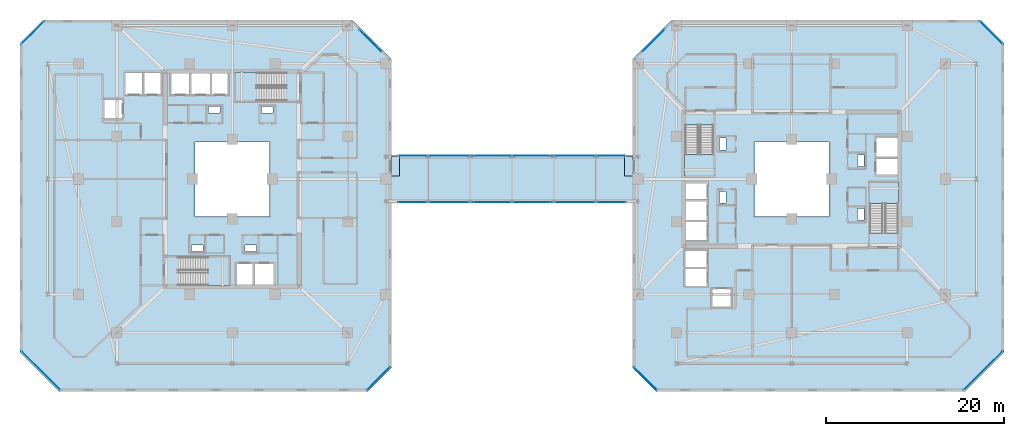
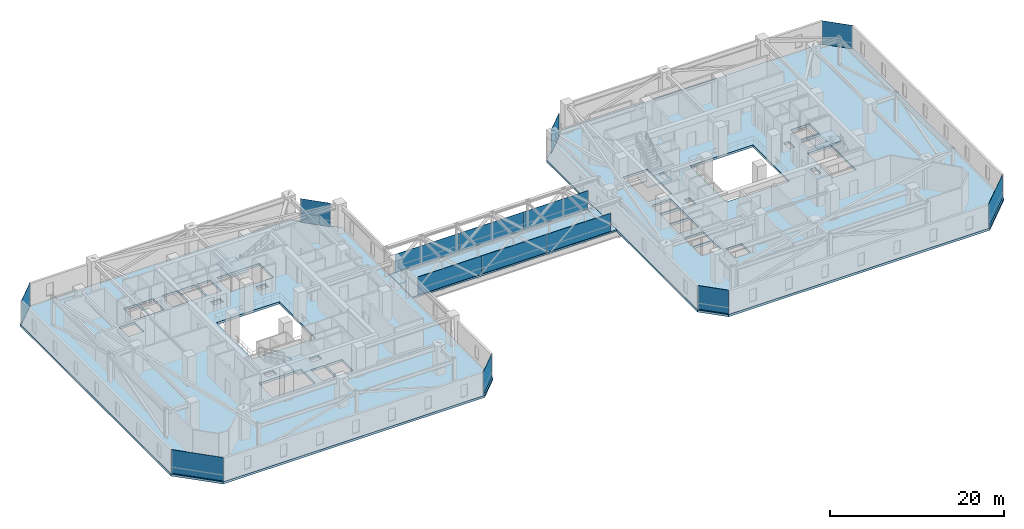
# One storey, part 28 of 45: 16 plates, 7 slabs, 14 elements without a shape of their own.
"""IFC4 building model written with IfcOpenShell, lengths in metres."""

import ifcopenshell
import ifcopenshell.guid

model = None  # the IFC model being written
_history = None  # IfcOwnerHistory: only IFC2X3 demands one
_inside = {}  # id of a spatial element -> (the spatial element, [elements in it])
_under = {}  # id of a project, library or spatial element -> (it, [spatial elements below it])
_declared = {}  # id of a project -> (the project, [libraries it declares])
_typed = {}  # id of a type object -> (the type object, [elements of that type])
_made_of = {}  # id of a material, layer set ... -> (it, [elements and type objects made of it])


def new_model(schema):
    """Start an empty IFC model of exactly this schema.

    Asked for "IFC4X3", IfcOpenShell would pick the latest addendum, in which some entities
    have other attributes; the version numbers below select the first issue.
    IFC2X3 requires an IfcOwnerHistory on every rooted entity: one is made here for all.
    """
    global model, _history
    if schema == "IFC4X3":
        model = ifcopenshell.file(schema_version=(4, 3, 0, 0))
    else:
        model = ifcopenshell.file(schema=schema)
    _inside.clear()
    _under.clear()
    _declared.clear()
    _typed.clear()
    _made_of.clear()
    _history = None
    if model.schema == "IFC2X3":
        org = make("IfcOrganization", Name="unknown")
        user = make(
            "IfcPersonAndOrganization",
            ThePerson=make("IfcPerson", FamilyName="unknown"),
            TheOrganization=org,
        )
        app = make(
            "IfcApplication",
            ApplicationDeveloper=org,
            Version="unknown",
            ApplicationFullName="unknown",
            ApplicationIdentifier="unknown",
        )
        _history = make(
            "IfcOwnerHistory",
            OwningUser=user,
            OwningApplication=app,
            ChangeAction="ADDED",
            CreationDate=0,
        )
    return model


def make(cls, **values):
    """One entity of the class cls with the attributes given. An attribute that is None is left unset."""
    return model.create_entity(
        cls, **{name: value for name, value in values.items() if value is not None}
    )


def rooted(cls, **values):
    """An entity with a GlobalId (a new one), such as an element, a storey or a relation."""
    return make(cls, GlobalId=ifcopenshell.guid.new(), OwnerHistory=_history, **values)


def si_unit(unit_type, name, prefix=None):
    """IfcSIUnit, for example si_unit("LENGTHUNIT", "METRE", prefix="MILLI")."""
    return make("IfcSIUnit", UnitType=unit_type, Prefix=prefix, Name=name)


def assignment(units):
    """IfcUnitAssignment: the units of a project."""
    return None if units is None else make("IfcUnitAssignment", Units=units)


def point(xyz):
    """IfcCartesianPoint."""
    return None if xyz is None else make("IfcCartesianPoint", Coordinates=xyz)


def direction(xyz):
    """IfcDirection."""
    return None if xyz is None else make("IfcDirection", DirectionRatios=xyz)


def frame(location, z_axis=None, x_axis=None):
    """IfcAxis2Placement3D, a coordinate frame: its origin and axes. An axis left out is left unset."""
    return make(
        "IfcAxis2Placement3D",
        Location=point(location),
        Axis=direction(z_axis),
        RefDirection=direction(x_axis),
    )


def frame_2d(location, x_axis=None):
    """IfcAxis2Placement2D, a coordinate frame in the plane: its origin and x axis."""
    return make(
        "IfcAxis2Placement2D", Location=point(location), RefDirection=direction(x_axis)
    )


def origin():
    """The frame at (0, 0, 0) with its axes left unset."""
    return frame((0.0, 0.0, 0.0))


def origin_2d():
    """The frame at (0, 0) in the plane with its x axis left unset."""
    return frame_2d((0.0, 0.0))


def place(relative_to, where):
    """IfcLocalPlacement: puts the frame where relative to a parent placement (None: the world)."""
    return make(
        "IfcLocalPlacement", PlacementRelTo=relative_to, RelativePlacement=where
    )


def context(
    kind, dimensions, precision=None, world=None, true_north=None, identifier=None
):
    """IfcGeometricRepresentationContext, for example the 3D "Model" context."""
    return make(
        "IfcGeometricRepresentationContext",
        ContextIdentifier=identifier,
        ContextType=kind,
        CoordinateSpaceDimension=dimensions,
        Precision=precision,
        WorldCoordinateSystem=world,
        TrueNorth=true_north,
    )


def subcontext(parent, identifier, kind, view, scale=None):
    """IfcGeometricRepresentationSubContext, for example "Body" below "Model"."""
    return make(
        "IfcGeometricRepresentationSubContext",
        ContextIdentifier=identifier,
        ContextType=kind,
        ParentContext=parent,
        TargetScale=scale,
        TargetView=view,
    )


def project(units=None, contexts=None):
    """IfcProject with its units and contexts."""
    return rooted(
        "IfcProject",
        Name="project",
        RepresentationContexts=contexts,
        UnitsInContext=assignment(units),
    )


def spatial(cls, under=None, at=None, **own):
    """A site, building, storey or space (cls), placed at a placement, below another one or the project."""
    s = rooted(cls, ObjectPlacement=at, **own)
    if under is not None:
        _under.setdefault(under.id(), (under, []))[1].append(s)
    return s


def polyline(points):
    """IfcPolyline through the points."""
    return make("IfcPolyline", Points=[point(p) for p in points])


def profile(cls, at=None, kind="AREA", **sizes):
    """A parametric profile (cls). Its sizes go by their IFC names, for example OverallWidth=200.0."""
    return make(cls, ProfileType=kind, Position=at, **sizes)


def rectangle(**sizes):
    """IfcRectangleProfileDef."""
    return profile("IfcRectangleProfileDef", **sizes)


def outline(outer, holes=None, kind="AREA"):
    """IfcArbitraryClosedProfileDef: a profile drawn as a closed curve; with holes, ...WithVoids."""
    if holes is None:
        return make("IfcArbitraryClosedProfileDef", ProfileType=kind, OuterCurve=outer)
    return make(
        "IfcArbitraryProfileDefWithVoids",
        ProfileType=kind,
        OuterCurve=outer,
        InnerCurves=holes,
    )


def extrude(swept, where, along, depth):
    """IfcExtrudedAreaSolid: the profile swept, set in the frame where, extruded along a direction by depth."""
    return make(
        "IfcExtrudedAreaSolid",
        SweptArea=swept,
        Position=where,
        ExtrudedDirection=direction(along),
        Depth=depth,
    )


def shape(context_of_items, identifier, shape_type, items):
    """IfcShapeRepresentation: the items that make up one representation, for example the "Body"."""
    return make(
        "IfcShapeRepresentation",
        ContextOfItems=context_of_items,
        RepresentationIdentifier=identifier,
        RepresentationType=shape_type,
        Items=items,
    )


def material(Name=None, Category=None):
    """IfcMaterial."""
    return make("IfcMaterial", Name=Name, Category=Category)


def layer(
    of_material, thickness, ventilated=None, Name=None, Category=None, Priority=None
):
    """IfcMaterialLayer: one layer of a wall or slab, of a material (None: an air gap)."""
    return make(
        "IfcMaterialLayer",
        Material=of_material,
        LayerThickness=thickness,
        IsVentilated=ventilated,
        Name=Name,
        Category=Category,
        Priority=Priority,
    )


def layer_set(layers, Name=None):
    """IfcMaterialLayerSet."""
    return make("IfcMaterialLayerSet", MaterialLayers=layers, LayerSetName=Name)


def made_of(thing, what):
    """Note that an element or type object is made of a material, layer set ...; save() writes the relation."""
    if what is not None:
        _made_of.setdefault(what.id(), (what, []))[1].append(thing)
    return thing


def type_object(cls, material=None, **own):
    """A type object (cls), such as IfcWallType, which elements share."""
    return made_of(rooted(cls, **own), material)


def element(
    cls,
    number,
    at=None,
    inside=None,
    cuts=None,
    type_object=None,
    material=None,
    context=None,
    identifier="Body",
    shape_type=None,
    held_by="IfcProductDefinitionShape",
    body=None,
    shapes=None,
    **own,
):
    """One element of the class cls, such as IfcWall. Its Tag is "e" and its number.

    at: its placement. inside: the storey or other place that contains it. cuts: it is an
    opening in that element (IfcRelVoidsElement). A single representation is given by context,
    identifier, shape_type and body (its items); several are given by shapes. held_by: the class
    of the entity that holds the representations. save() writes the other relations.
    """
    e = rooted(cls, Tag="e%d" % number, ObjectPlacement=at, **own)
    if body is not None:
        shapes = [shape(context, identifier, shape_type, body)]
    if shapes is not None:
        e.Representation = make(held_by, Representations=shapes)
    if inside is not None:
        _inside.setdefault(inside.id(), (inside, []))[1].append(e)
    if cuts is not None:
        rooted(
            "IfcRelVoidsElement", RelatingBuildingElement=cuts, RelatedOpeningElement=e
        )
    if type_object is not None:
        _typed.setdefault(type_object.id(), (type_object, []))[1].append(e)
    return made_of(e, material)


def aggregate(whole, parts):
    """IfcRelAggregates: a whole, such as a stair, and the parts it consists of."""
    return rooted("IfcRelAggregates", RelatingObject=whole, RelatedObjects=parts)


def save(model, path):
    """Write the relations noted so far, then the file.

    IfcRelAggregates (storeys below a building ...), IfcRelContainedInSpatialStructure (elements
    in a storey), IfcRelDefinesByType, IfcRelAssociatesMaterial and IfcRelDeclares: one each for
    every whole, place, type object, material and project.
    """
    for whole, parts in _under.values():
        aggregate(whole, parts)
    for where, things in _inside.values():
        rooted(
            "IfcRelContainedInSpatialStructure",
            RelatedElements=things,
            RelatingStructure=where,
        )
    for kind, things in _typed.values():
        rooted("IfcRelDefinesByType", RelatedObjects=things, RelatingType=kind)
    for what, things in _made_of.values():
        rooted("IfcRelAssociatesMaterial", RelatedObjects=things, RelatingMaterial=what)
    for by, libraries in _declared.values():
        rooted("IfcRelDeclares", RelatingContext=by, RelatedDefinitions=libraries)
    model.write(path)


model = new_model("IFC4")

# Units and contexts
model_context = context("Model", 3, precision=1e-05, world=origin(), true_north=direction((0.0, 1.0)))
body_context = subcontext(model_context, "Body", "Model", "MODEL_VIEW")
ifc_project = project(units=[si_unit("LENGTHUNIT", "METRE"), si_unit("AREAUNIT", "SQUARE_METRE"), si_unit("VOLUMEUNIT", "CUBIC_METRE"), si_unit("PLANEANGLEUNIT", "RADIAN"), si_unit("MASSUNIT", "GRAM", prefix="KILO")], contexts=[model_context])

# Site, building, storey
site_placement = place(None, origin())
site = spatial("IfcSite", under=ifc_project, at=site_placement, CompositionType="ELEMENT")
building_placement = place(site_placement, origin())
building = spatial("IfcBuilding", under=site, at=building_placement, Name="Thornwick Lancets Civic Towers", CompositionType="ELEMENT")
storey_placement = place(building_placement, frame((0.0, 0.0, 141.300048828125)))
storey = spatial("IfcBuildingStorey", under=building, at=storey_placement, Name="L37", CompositionType="ELEMENT", Elevation=141.300048828125)

# Curtain wall, plate
ifc_material_1 = material(Name="Mid-zone chamfered-corner unitised glass curtain wall", Category="glass")
curtain_wall_type_1 = type_object("IfcCurtainWallType", Name="CW_SYS_04", PredefinedType="NOTDEFINED", material=ifc_material_1)
curtain_wall_1_placement = place(storey_placement, origin())
curtain_wall_1 = element("IfcCurtainWall", 1, at=curtain_wall_1_placement, inside=storey, type_object=curtain_wall_type_1, Name="L37 Curtain Wall CW-L37-A-E1", PredefinedType="NOTDEFINED")
ifc_material_2 = material(Name="Low-e double glazing clear glass", Category="glass")
ifc_layer_1 = layer(ifc_material_2, 0.035888671875, Name="Low-e double glazing clear glass")
ifc_layer_set_1 = layer_set([ifc_layer_1], Name="Low-e double glazing clear glass")
plate_type_1 = type_object("IfcPlateType", Name="CW_PNL_GLASS", PredefinedType="CURTAIN_PANEL", material=ifc_layer_set_1)
plate_1_placement = place(storey_placement, frame((41.972900390625, 4.527099609375, 0.0), z_axis=(0.0, 0.0, 1.0), x_axis=(0.707106781187, 0.707106781187, 0.0)))
plate_1 = element("IfcPlate", 2, at=plate_1_placement, type_object=plate_type_1, Name="CW-L37-A-E1 Panel 0", PredefinedType="CURTAIN_PANEL", context=body_context, shape_type="SweptSolid", body=[
    extrude(rectangle(XDim=3.649169921875, YDim=0.035888671875, at=origin_2d()), origin(), (0.0, 0.0, 1.0), 3.300048828125),
])
aggregate(curtain_wall_1, [plate_1])

curtain_wall_2_placement = place(storey_placement, origin())
curtain_wall_2 = element("IfcCurtainWall", 3, at=curtain_wall_2_placement, inside=storey, type_object=curtain_wall_type_1, Name="L37 Curtain Wall CW-L37-A-E3", PredefinedType="NOTDEFINED")
plate_2_placement = place(storey_placement, frame((41.073486328125, 42.573486328125, 0.0), z_axis=(0.0, 0.0, 1.0), x_axis=(-0.707106781187, 0.707106781187, 0.0)))
plate_2 = element("IfcPlate", 4, at=plate_2_placement, type_object=plate_type_1, Name="CW-L37-A-E3 Panel 0", PredefinedType="CURTAIN_PANEL", context=body_context, shape_type="SweptSolid", body=[
    extrude(rectangle(XDim=3.5771484375, YDim=0.035888671875, at=origin_2d()), origin(), (0.0, 0.0, 1.0), 3.300048828125),
])
aggregate(curtain_wall_2, [plate_2])

curtain_wall_3_placement = place(storey_placement, origin())
curtain_wall_3 = element("IfcCurtainWall", 5, at=curtain_wall_3_placement, inside=storey, type_object=curtain_wall_type_1, Name="L37 Curtain Wall CW-L37-A-E5", PredefinedType="NOTDEFINED")
plate_3_placement = place(storey_placement, frame((3.027099609375, 43.472900390625, 0.0), z_axis=(0.0, 0.0, 1.0), x_axis=(-0.707106781187, -0.707106781187, 0.0)))
plate_3 = element("IfcPlate", 6, at=plate_3_placement, type_object=plate_type_1, Name="CW-L37-A-E5 Panel 0", PredefinedType="CURTAIN_PANEL", context=body_context, shape_type="SweptSolid", body=[
    extrude(rectangle(XDim=3.649169921875, YDim=0.035888671875, at=origin_2d()), origin(), (0.0, 0.0, 1.0), 3.300048828125),
])
aggregate(curtain_wall_3, [plate_3])

curtain_wall_4_placement = place(storey_placement, origin())
curtain_wall_4 = element("IfcCurtainWall", 7, at=curtain_wall_4_placement, inside=storey, type_object=curtain_wall_type_1, Name="L37 Curtain Wall CW-L37-A-E7", PredefinedType="NOTDEFINED")
plate_4_placement = place(storey_placement, frame((3.926513671875, 5.426513671875, 0.0), z_axis=(0.0, 0.0, 1.0), x_axis=(0.707106781187, -0.707106781187, 0.0)))
plate_4 = element("IfcPlate", 8, at=plate_4_placement, type_object=plate_type_1, Name="CW-L37-A-E7 Panel 0", PredefinedType="CURTAIN_PANEL", context=body_context, shape_type="SweptSolid", body=[
    extrude(rectangle(XDim=6.176513671875, YDim=0.035888671875, at=origin_2d()), origin(), (0.0, 0.0, 1.0), 3.300048828125),
])
aggregate(curtain_wall_4, [plate_4])

curtain_wall_5_placement = place(storey_placement, origin())
curtain_wall_5 = element("IfcCurtainWall", 9, at=curtain_wall_5_placement, inside=storey, type_object=curtain_wall_type_1, Name="L37 Curtain Wall CW-L37-B-E1", PredefinedType="NOTDEFINED")
plate_5_placement = place(storey_placement, frame((110.073486328125, 5.426513671875, 0.0), z_axis=(0.0, 0.0, 1.0), x_axis=(0.707106781187, 0.707106781187, 0.0)))
plate_5 = element("IfcPlate", 10, at=plate_5_placement, type_object=plate_type_1, Name="CW-L37-B-E1 Panel 0", PredefinedType="CURTAIN_PANEL", context=body_context, shape_type="SweptSolid", body=[
    extrude(rectangle(XDim=6.176513671875, YDim=0.035888671875, at=origin_2d()), origin(), (0.0, 0.0, 1.0), 3.300048828125),
])
aggregate(curtain_wall_5, [plate_5])

curtain_wall_6_placement = place(storey_placement, origin())
curtain_wall_6 = element("IfcCurtainWall", 11, at=curtain_wall_6_placement, inside=storey, type_object=curtain_wall_type_1, Name="L37 Curtain Wall CW-L37-B-E3", PredefinedType="NOTDEFINED")
plate_6_placement = place(storey_placement, frame((110.972900390625, 43.472900390625, 0.0), z_axis=(0.0, 0.0, 1.0), x_axis=(-0.707106781187, 0.707106781187, 0.0)))
plate_6 = element("IfcPlate", 12, at=plate_6_placement, type_object=plate_type_1, Name="CW-L37-B-E3 Panel 0", PredefinedType="CURTAIN_PANEL", context=body_context, shape_type="SweptSolid", body=[
    extrude(rectangle(XDim=3.649169921875, YDim=0.035888671875, at=origin_2d()), origin(), (0.0, 0.0, 1.0), 3.300048828125),
])
aggregate(curtain_wall_6, [plate_6])

curtain_wall_7_placement = place(storey_placement, origin())
curtain_wall_7 = element("IfcCurtainWall", 13, at=curtain_wall_7_placement, inside=storey, type_object=curtain_wall_type_1, Name="L37 Curtain Wall CW-L37-B-E5", PredefinedType="NOTDEFINED")
plate_7_placement = place(storey_placement, frame((72.926513671875, 42.573486328125, 0.0), z_axis=(0.0, 0.0, 1.0), x_axis=(-0.707106781187, -0.707106781187, 0.0)))
plate_7 = element("IfcPlate", 14, at=plate_7_placement, type_object=plate_type_1, Name="CW-L37-B-E5 Panel 0", PredefinedType="CURTAIN_PANEL", context=body_context, shape_type="SweptSolid", body=[
    extrude(rectangle(XDim=3.5771484375, YDim=0.035888671875, at=origin_2d()), origin(), (0.0, 0.0, 1.0), 3.300048828125),
])
aggregate(curtain_wall_7, [plate_7])

curtain_wall_8_placement = place(storey_placement, origin())
curtain_wall_8 = element("IfcCurtainWall", 15, at=curtain_wall_8_placement, inside=storey, type_object=curtain_wall_type_1, Name="L37 Curtain Wall CW-L37-B-E7", PredefinedType="NOTDEFINED")
plate_8_placement = place(storey_placement, frame((72.027099609375, 4.527099609375, 0.0), z_axis=(0.0, 0.0, 1.0), x_axis=(0.707106781187, -0.707106781187, 0.0)))
plate_8 = element("IfcPlate", 16, at=plate_8_placement, type_object=plate_type_1, Name="CW-L37-B-E7 Panel 0", PredefinedType="CURTAIN_PANEL", context=body_context, shape_type="SweptSolid", body=[
    extrude(rectangle(XDim=3.649169921875, YDim=0.035888671875, at=origin_2d()), origin(), (0.0, 0.0, 1.0), 3.300048828125),
])
aggregate(curtain_wall_8, [plate_8])

# Curtain wall, plates
ifc_material_3 = material(Name="Skybridge acoustic laminated-glass curtain wall", Category="glass")
curtain_wall_type_2 = type_object("IfcCurtainWallType", Name="CW_SYS_06", PredefinedType="NOTDEFINED", material=ifc_material_3)
curtain_wall_9_placement = place(storey_placement, origin())
curtain_wall_9 = element("IfcCurtainWall", 17, at=curtain_wall_9_placement, inside=storey, type_object=curtain_wall_type_2, Name="L37 Curtain Wall CW-L37-SKYBRIDGE-S", PredefinedType="NOTDEFINED")
plate_9_placement = place(storey_placement, frame((48.453369140625, 24.3798828125, 0.0), z_axis=(0.0, 0.0, 1.0), x_axis=(1.0, 0.0, 0.0)))
plate_9 = element("IfcPlate", 18, at=plate_9_placement, type_object=plate_type_1, Name="CW-L37-SKYBRIDGE-S Panel 0", PredefinedType="CURTAIN_PANEL", context=body_context, shape_type="SweptSolid", body=[
    extrude(rectangle(XDim=8.542724609375, YDim=0.035888671875, at=origin_2d()), origin(), (0.0, 0.0, 1.0), 2.550048828125),
])
plate_10_placement = place(storey_placement, frame((57.0, 24.3798828125, 0.0), z_axis=(0.0, 0.0, 1.0), x_axis=(1.0, 0.0, 0.0)))
plate_10 = element("IfcPlate", 19, at=plate_10_placement, type_object=plate_type_1, Name="CW-L37-SKYBRIDGE-S Panel 1", PredefinedType="CURTAIN_PANEL", context=body_context, shape_type="SweptSolid", body=[
    extrude(rectangle(XDim=8.542724609375, YDim=0.035888671875, at=origin_2d()), origin(), (0.0, 0.0, 1.0), 2.550048828125),
])
plate_11_placement = place(storey_placement, frame((65.546630859375, 24.3798828125, 0.0), z_axis=(0.0, 0.0, 1.0), x_axis=(1.0, 0.0, 0.0)))
plate_11 = element("IfcPlate", 20, at=plate_11_placement, type_object=plate_type_1, Name="CW-L37-SKYBRIDGE-S Panel 2", PredefinedType="CURTAIN_PANEL", context=body_context, shape_type="SweptSolid", body=[
    extrude(rectangle(XDim=8.542724609375, YDim=0.035888671875, at=origin_2d()), origin(), (0.0, 0.0, 1.0), 2.550048828125),
])
aggregate(curtain_wall_9, [plate_9, plate_10, plate_11])

curtain_wall_10_placement = place(storey_placement, origin())
curtain_wall_10 = element("IfcCurtainWall", 21, at=curtain_wall_10_placement, inside=storey, type_object=curtain_wall_type_2, Name="L37 Curtain Wall CW-L37-SKYBRIDGE-N", PredefinedType="NOTDEFINED")
plate_12_placement = place(storey_placement, frame((65.546630859375, 29.6201171875, 0.0), z_axis=(0.0, 0.0, 1.0), x_axis=(-1.0, 0.0, 0.0)))
plate_12 = element("IfcPlate", 22, at=plate_12_placement, type_object=plate_type_1, Name="CW-L37-SKYBRIDGE-N Panel 0", PredefinedType="CURTAIN_PANEL", context=body_context, shape_type="SweptSolid", body=[
    extrude(rectangle(XDim=8.542724609375, YDim=0.035888671875, at=origin_2d()), origin(), (0.0, 0.0, 1.0), 2.550048828125),
])
plate_13_placement = place(storey_placement, frame((57.0, 29.6201171875, 0.0), z_axis=(0.0, 0.0, 1.0), x_axis=(-1.0, 0.0, 0.0)))
plate_13 = element("IfcPlate", 23, at=plate_13_placement, type_object=plate_type_1, Name="CW-L37-SKYBRIDGE-N Panel 1", PredefinedType="CURTAIN_PANEL", context=body_context, shape_type="SweptSolid", body=[
    extrude(rectangle(XDim=8.542724609375, YDim=0.035888671875, at=origin_2d()), origin(), (0.0, 0.0, 1.0), 2.550048828125),
])
plate_14_placement = place(storey_placement, frame((48.453369140625, 29.6201171875, 0.0), z_axis=(0.0, 0.0, 1.0), x_axis=(-1.0, 0.0, 0.0)))
plate_14 = element("IfcPlate", 24, at=plate_14_placement, type_object=plate_type_1, Name="CW-L37-SKYBRIDGE-N Panel 2", PredefinedType="CURTAIN_PANEL", context=body_context, shape_type="SweptSolid", body=[
    extrude(rectangle(XDim=8.542724609375, YDim=0.035888671875, at=origin_2d()), origin(), (0.0, 0.0, 1.0), 2.550048828125),
])
aggregate(curtain_wall_10, [plate_12, plate_13, plate_14])

# Plates
ifc_material_4 = material(Name="Steel S355JR", Category="steel")
ifc_layer_2 = layer(ifc_material_4, 0.030029296875, Name="Steel S355JR")
ifc_layer_set_2 = layer_set([ifc_layer_2], Name="Steel S355JR")
plate_type_2 = type_object("IfcPlateType", Name="PLT_THRESH_30", PredefinedType="SHEET", material=ifc_layer_set_2)
for number, where, z_axis, x_axis, name in (
    (25, (43.860107421875, 28.449951171875, -0.0302734375), (0.0, 0.0, 1.0), (1.0, 0.0, 0.0), "L37 Skybridge West Expansion Joint Plate"),
    (26, (70.139892578125, 28.449951171875, -0.0302734375), (0.0, 0.0, 1.0), (1.0, 0.0, 0.0), "L37 Skybridge East Expansion Joint Plate"),
):
    element("IfcPlate", number, at=place(storey_placement, frame(where, z_axis=z_axis, x_axis=x_axis)), inside=storey, type_object=plate_type_2, Name=name, PredefinedType="SHEET", context=body_context, shape_type="SweptSolid", body=[
        extrude(rectangle(XDim=0.949951171875, YDim=2.199951171875, at=origin_2d()), origin(), (0.0, 0.0, 1.0), 0.030029296875),
    ])

# Slab
ifc_material_5 = material(Name="Composite concrete C40/50", Category="concrete")
ifc_layer_3 = layer(ifc_material_5, 0.219970703125, Name="Composite concrete C40/50")
ifc_layer_set_3 = layer_set([ifc_layer_3], Name="Composite concrete C40/50")
slab_type_1 = type_object("IfcSlabType", Name="SLAB_BRIDGE_220", PredefinedType="FLOOR", material=ifc_layer_set_3)
slab_1_placement = place(storey_placement, frame((0.0, 0.0, -0.219970703125)))
element("IfcSlab", 27, at=slab_1_placement, inside=storey, type_object=slab_type_1, Name="L37 Inter-Tower Refuge Skybridge Deck Slab", PredefinedType="FLOOR", context=body_context, shape_type="SweptSolid", body=[
    extrude(outline(polyline([(43.3798828125, 24.300048828125), (70.6201171875, 24.300048828125), (70.6201171875, 29.699951171875), (43.3798828125, 29.699951171875), (43.3798828125, 24.300048828125)])), origin(), (0.0, 0.0, 1.0), 0.219970703125),
])

# Stair, slab
ifc_material_6 = material(Name="Concrete C40/50", Category="concrete")
stair_type = type_object("IfcStairType", Name="STAIR_DL_4200", PredefinedType="HALF_TURN_STAIR", material=ifc_material_6)
stair_1_placement = place(storey_placement, origin())
stair_1 = element("IfcStair", 28, at=stair_1_placement, inside=storey, type_object=stair_type, Name="L37 Tower A South Exit Stair ST-A1", PredefinedType="HALF_TURN_STAIR")
ifc_layer_4 = layer(ifc_material_6, 0.25, Name="Concrete C40/50")
ifc_layer_set_4 = layer_set([ifc_layer_4], Name="Concrete C40/50")
slab_type_2 = type_object("IfcSlabType", Name="SLAB_LANDING_200", PredefinedType="LANDING", material=ifc_layer_set_4)
slab_2_placement = place(storey_placement, frame((0.0, 0.0, 1.90283203125)))
slab_2 = element("IfcSlab", 29, at=slab_2_placement, type_object=slab_type_2, Name="ST-A1 landing 1", PredefinedType="LANDING", context=body_context, shape_type="SweptSolid", body=[
    extrude(outline(polyline([(22.72998046875, 14.93994140625), (25.14990234375, 14.93994140625), (25.14990234375, 18.260009765625), (22.72998046875, 18.260009765625), (22.72998046875, 14.93994140625)])), origin(), (0.0, 0.0, 1.0), 0.2001953125),
])
aggregate(stair_1, [slab_2])

stair_2_placement = place(storey_placement, origin())
stair_2 = element("IfcStair", 30, at=stair_2_placement, inside=storey, type_object=stair_type, Name="L37 Tower A North Exit Stair ST-A2", PredefinedType="HALF_TURN_STAIR")
slab_3_placement = place(storey_placement, frame((0.0, 0.0, 1.90283203125)))
slab_3 = element("IfcSlab", 31, at=slab_3_placement, type_object=slab_type_2, Name="ST-A2 landing 1", PredefinedType="LANDING", context=body_context, shape_type="SweptSolid", body=[
    extrude(outline(polyline([(28.27001953125, 39.06005859375), (25.85009765625, 39.06005859375), (25.85009765625, 35.739990234375), (28.27001953125, 35.739990234375), (28.27001953125, 39.06005859375)])), origin(), (0.0, 0.0, 1.0), 0.2001953125),
])
aggregate(stair_2, [slab_3])

stair_3_placement = place(storey_placement, origin())
stair_3 = element("IfcStair", 32, at=stair_3_placement, inside=storey, type_object=stair_type, Name="L37 Tower B East Exit Stair ST-B1", PredefinedType="HALF_TURN_STAIR")
slab_4_placement = place(storey_placement, frame((0.0, 0.0, 1.90283203125)))
slab_4 = element("IfcSlab", 33, at=slab_4_placement, type_object=slab_type_2, Name="ST-B1 landing 1", PredefinedType="LANDING", context=body_context, shape_type="SweptSolid", body=[
    extrude(outline(polyline([(100.56005859375, 24.22998046875), (100.56005859375, 26.64990234375), (97.239990234375, 26.64990234375), (97.239990234375, 24.22998046875), (100.56005859375, 24.22998046875)])), origin(), (0.0, 0.0, 1.0), 0.2001953125),
])
aggregate(stair_3, [slab_4])

stair_4_placement = place(storey_placement, origin())
stair_4 = element("IfcStair", 34, at=stair_4_placement, inside=storey, type_object=stair_type, Name="L37 Tower B West Exit Stair ST-B2", PredefinedType="HALF_TURN_STAIR")
slab_5_placement = place(storey_placement, frame((0.0, 0.0, 1.90283203125)))
slab_5 = element("IfcSlab", 35, at=slab_5_placement, type_object=slab_type_2, Name="ST-B2 landing 1", PredefinedType="LANDING", context=body_context, shape_type="SweptSolid", body=[
    extrude(outline(polyline([(76.43994140625, 29.77001953125), (76.43994140625, 27.35009765625), (79.760009765625, 27.35009765625), (79.760009765625, 29.77001953125), (76.43994140625, 29.77001953125)])), origin(), (0.0, 0.0, 1.0), 0.2001953125),
])
aggregate(stair_4, [slab_5])

# Slabs
ifc_material_7 = material(Name="Post-tensioned concrete C40/50", Category="concrete")
ifc_layer_5 = layer(ifc_material_7, 0.320068359375, Name="Post-tensioned concrete C40/50")
ifc_layer_set_5 = layer_set([ifc_layer_5], Name="Post-tensioned concrete C40/50")
slab_type_3 = type_object("IfcSlabType", Name="SLAB_PT_320", PredefinedType="FLOOR", material=ifc_layer_set_5)
slab_6_placement = place(storey_placement, frame((0.0, 0.0, -0.320068359375)))
element("IfcSlab", 36, at=slab_6_placement, inside=storey, type_object=slab_type_3, Name="L37 Tower A Floor Slab", PredefinedType="FLOOR", context=body_context, shape_type="SweptSolid", body=[
    extrude(outline(polyline([(6.0, 3.10009765625), (40.800048828125, 3.10009765625), (43.39990234375, 5.699951171875), (43.39990234375, 40.5), (39.0, 44.89990234375), (4.199951171875, 44.89990234375), (1.60009765625, 42.300048828125), (1.60009765625, 7.5), (6.0, 3.10009765625)]), holes=[polyline([(21.300048828125, 22.800048828125), (29.699951171875, 22.800048828125), (29.699951171875, 31.199951171875), (21.300048828125, 31.199951171875), (21.300048828125, 22.800048828125)]), polyline([(19.429931640625, 15.0), (25.10009765625, 15.0), (25.10009765625, 18.199951171875), (19.429931640625, 18.199951171875), (19.429931640625, 15.0)]), polyline([(31.570068359375, 39.0), (25.89990234375, 39.0), (25.89990234375, 35.800048828125), (31.570068359375, 35.800048828125), (31.570068359375, 39.0)]), polyline([(26.0, 15.0), (27.800048828125, 15.0), (27.800048828125, 17.550048828125), (26.0, 17.550048828125), (26.0, 15.0)]), polyline([(28.0, 15.0), (30.14990234375, 15.0), (30.14990234375, 17.550048828125), (28.0, 17.550048828125), (28.0, 15.0)]), polyline([(23.199951171875, 36.449951171875), (25.0, 36.449951171875), (25.0, 39.0), (23.199951171875, 39.0), (23.199951171875, 36.449951171875)]), polyline([(20.85009765625, 36.449951171875), (23.0, 36.449951171875), (23.0, 39.0), (20.85009765625, 39.0), (20.85009765625, 36.449951171875)]), polyline([(18.60009765625, 36.449951171875), (20.699951171875, 36.449951171875), (20.699951171875, 39.0), (18.60009765625, 39.0), (18.60009765625, 36.449951171875)]), polyline([(15.550048828125, 36.449951171875), (17.449951171875, 36.449951171875), (17.449951171875, 39.0), (15.550048828125, 39.0), (15.550048828125, 36.449951171875)]), polyline([(13.449951171875, 36.449951171875), (15.39990234375, 36.449951171875), (15.39990234375, 39.0), (13.449951171875, 39.0), (13.449951171875, 36.449951171875)]), polyline([(11.10009765625, 33.85009765625), (13.199951171875, 33.85009765625), (13.199951171875, 35.949951171875), (11.10009765625, 35.949951171875), (11.10009765625, 33.85009765625)]), polyline([(26.89990234375, 18.85009765625), (28.199951171875, 18.85009765625), (28.199951171875, 19.580078125), (26.89990234375, 19.580078125), (26.89990234375, 18.85009765625)]), polyline([(20.89990234375, 18.85009765625), (22.199951171875, 18.85009765625), (22.199951171875, 19.580078125), (20.89990234375, 19.580078125), (20.89990234375, 18.85009765625)]), polyline([(22.800048828125, 34.419921875), (24.10009765625, 34.419921875), (24.10009765625, 35.14990234375), (22.800048828125, 35.14990234375), (22.800048828125, 34.419921875)]), polyline([(28.800048828125, 34.419921875), (30.10009765625, 34.419921875), (30.10009765625, 35.14990234375), (28.800048828125, 35.14990234375), (28.800048828125, 34.419921875)])]), origin(), (0.0, 0.0, 1.0), 0.320068359375),
])
slab_7_placement = place(storey_placement, frame((0.0, 0.0, -0.320068359375)))
element("IfcSlab", 37, at=slab_7_placement, inside=storey, type_object=slab_type_3, Name="L37 Tower B Floor Slab", PredefinedType="FLOOR", context=body_context, shape_type="SweptSolid", body=[
    extrude(outline(polyline([(73.199951171875, 3.10009765625), (108.0, 3.10009765625), (112.39990234375, 7.5), (112.39990234375, 42.300048828125), (109.800048828125, 44.89990234375), (75.0, 44.89990234375), (70.60009765625, 40.5), (70.60009765625, 5.699951171875), (73.199951171875, 3.10009765625)]), holes=[polyline([(84.300048828125, 22.800048828125), (92.699951171875, 22.800048828125), (92.699951171875, 31.199951171875), (84.300048828125, 31.199951171875), (84.300048828125, 22.800048828125)]), polyline([(100.5, 20.929931640625), (100.5, 26.60009765625), (97.300048828125, 26.60009765625), (97.300048828125, 20.929931640625), (100.5, 20.929931640625)]), polyline([(76.5, 33.070068359375), (76.5, 27.39990234375), (79.699951171875, 27.39990234375), (79.699951171875, 33.070068359375), (76.5, 33.070068359375)]), polyline([(97.949951171875, 27.5), (100.5, 27.5), (100.5, 29.300048828125), (97.949951171875, 29.300048828125), (97.949951171875, 27.5)]), polyline([(97.949951171875, 29.5), (100.5, 29.5), (100.5, 31.64990234375), (97.949951171875, 31.64990234375), (97.949951171875, 29.5)]), polyline([(76.5, 24.699951171875), (79.050048828125, 24.699951171875), (79.050048828125, 26.5), (76.5, 26.5), (76.5, 24.699951171875)]), polyline([(76.5, 22.35009765625), (79.050048828125, 22.35009765625), (79.050048828125, 24.5), (76.5, 24.5), (76.5, 22.35009765625)]), polyline([(76.5, 20.10009765625), (79.050048828125, 20.10009765625), (79.050048828125, 22.199951171875), (76.5, 22.199951171875), (76.5, 20.10009765625)]), polyline([(76.5, 17.050048828125), (79.050048828125, 17.050048828125), (79.050048828125, 18.949951171875), (76.5, 18.949951171875), (76.5, 17.050048828125)]), polyline([(76.5, 14.949951171875), (79.050048828125, 14.949951171875), (79.050048828125, 16.89990234375), (76.5, 16.89990234375), (76.5, 14.949951171875)]), polyline([(79.550048828125, 12.60009765625), (81.64990234375, 12.60009765625), (81.64990234375, 14.699951171875), (79.550048828125, 14.699951171875), (79.550048828125, 12.60009765625)]), polyline([(95.919921875, 28.39990234375), (96.64990234375, 28.39990234375), (96.64990234375, 29.699951171875), (95.919921875, 29.699951171875), (95.919921875, 28.39990234375)]), polyline([(95.919921875, 22.39990234375), (96.64990234375, 22.39990234375), (96.64990234375, 23.699951171875), (95.919921875, 23.699951171875), (95.919921875, 22.39990234375)]), polyline([(80.35009765625, 24.300048828125), (81.080078125, 24.300048828125), (81.080078125, 25.60009765625), (80.35009765625, 25.60009765625), (80.35009765625, 24.300048828125)]), polyline([(80.35009765625, 30.300048828125), (81.080078125, 30.300048828125), (81.080078125, 31.60009765625), (80.35009765625, 31.60009765625), (80.35009765625, 30.300048828125)])]), origin(), (0.0, 0.0, 1.0), 0.320068359375),
])

save(model, "model.ifc")
